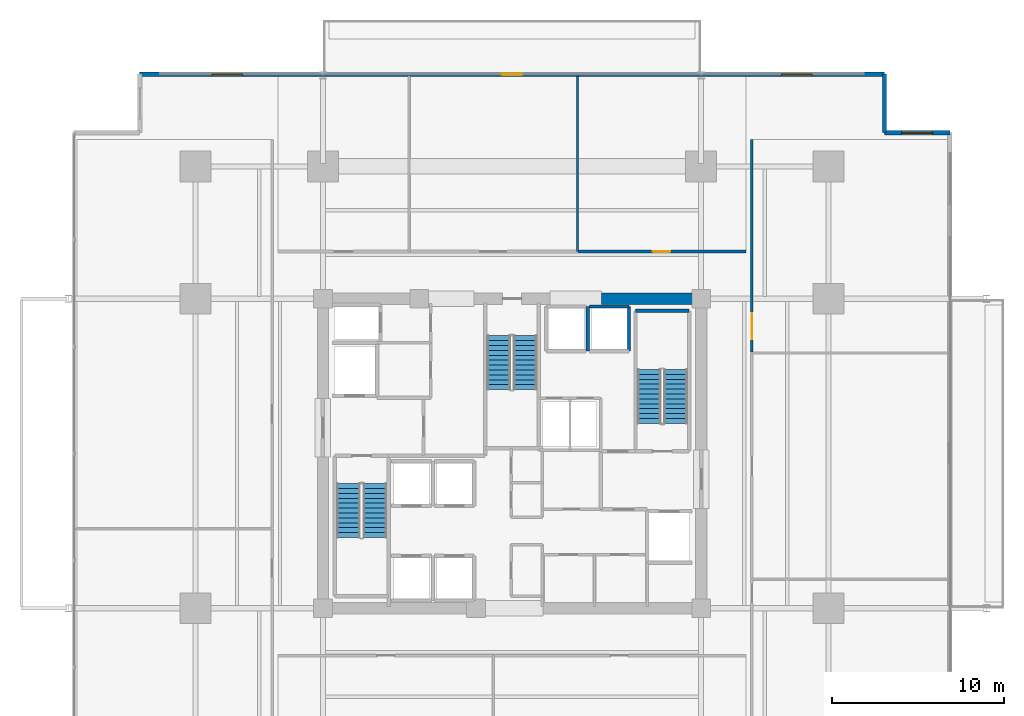
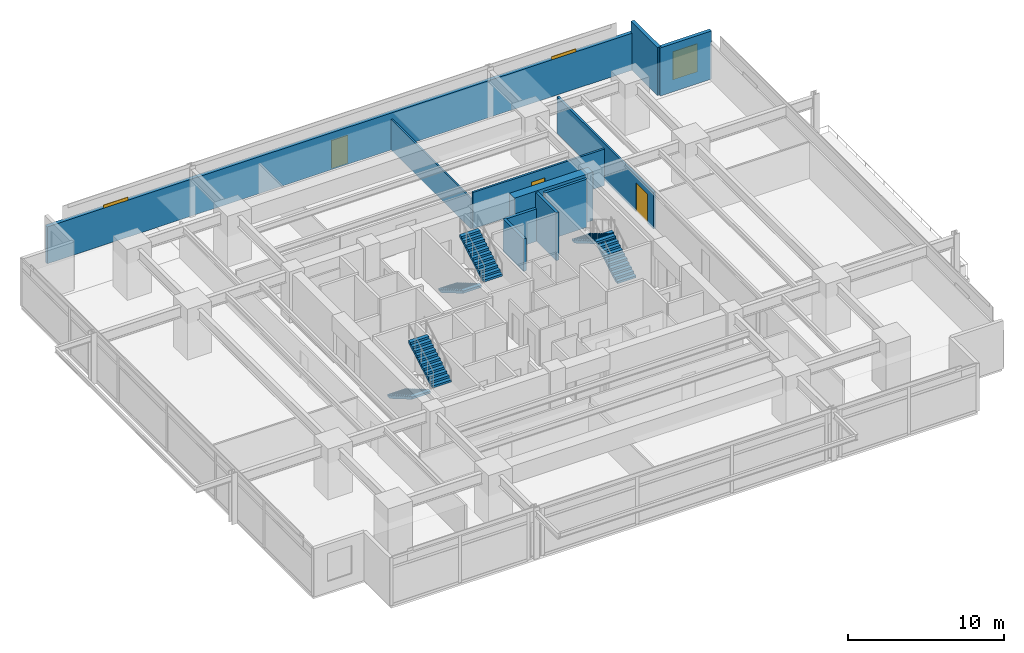
# One storey, part 17 of 21: 11 walls, 6 stair flights, 3 doors, 3 windows, 6 openings, 3 elements without a shape of their own.
"""IFC4 building model written with IfcOpenShell, lengths in metres."""

from ifc_helpers import new_model, si_unit, direction, frame, frame_2d, origin, place, context, subcontext, project, spatial, polyline, rectangle, outline, extrude, material, layer, layer_set, type_object, element, fill, aggregate, save


model = new_model("IFC4")

# Units and contexts
model_context = context("Model", 3, precision=1e-05, world=origin(), true_north=direction((0.0, 1.0)))
body_context = subcontext(model_context, "Body", "Model", "MODEL_VIEW")
ifc_project = project(units=[si_unit("LENGTHUNIT", "METRE"), si_unit("AREAUNIT", "SQUARE_METRE"), si_unit("VOLUMEUNIT", "CUBIC_METRE"), si_unit("PLANEANGLEUNIT", "RADIAN"), si_unit("MASSUNIT", "GRAM", prefix="KILO")], contexts=[model_context])

# Site, building, storey
site_placement = place(None, origin())
site = spatial("IfcSite", under=ifc_project, at=site_placement, CompositionType="ELEMENT")
building_placement = place(site_placement, origin())
building = spatial("IfcBuilding", under=site, at=building_placement, Name="Kovane Verandah Tower", CompositionType="ELEMENT")
storey_placement = place(building_placement, frame((0.0, 0.0, 47.60009765625)))
storey = spatial("IfcBuildingStorey", under=building, at=storey_placement, Name="L10", CompositionType="ELEMENT", Elevation=47.60009765625)

# Wall, opening, door
ifc_material_1 = material(Name="Fire-Rated Gypsum Stud Partition", Category="gypsum")
ifc_layer_1 = layer(ifc_material_1, 0.14990234375)
ifc_layer_set_1 = layer_set([ifc_layer_1], Name="Fire-Rated Gypsum Stud Partition")
wall_type_1 = type_object("IfcWallType", Name="WL-COR-150", PredefinedType="PARTITIONING", material=ifc_layer_set_1)
wall_1_placement = place(storey_placement, frame((43.8779296875, 39.25, 0.0), z_axis=(0.0, 0.0, 1.0), x_axis=(1.0, 0.0, 0.0)))
wall_1 = element("IfcWall", 1, at=wall_1_placement, inside=storey, type_object=wall_type_1, Name="L10 Meeting Room N3 Corridor Partition", PredefinedType="PARTITIONING", context=body_context, shape_type="SweptSolid", body=[
    extrude(rectangle(XDim=9.72216796875, YDim=0.14990234375, at=frame_2d((4.861083984375, 0.0))), origin(), (0.0, 0.0, 1.0), 2.849853515625),
])
opening_1_placement = place(wall_1_placement, frame((4.31103515625, 0.0, 0.0)))
opening_1 = element("IfcOpeningElement", 2, at=opening_1_placement, cuts=wall_1, Name="Opening DR-L10-022", PredefinedType="OPENING", context=body_context, shape_type="SweptSolid", body=[
    extrude(rectangle(XDim=1.0, YDim=2.14990234375, at=frame_2d((0.5, 1.074951171875))), frame((0.0, 0.074951171875, 0.0), z_axis=(0.0, -1.0, 0.0), x_axis=(1.0, 0.0, 0.0)), (0.0, 0.0, 1.0), 0.14990234375),
])
ifc_material_2 = material(Name="FSC Spotted-Gum Timber Fire-Rated Office Door", Category="wood")
door_type_1 = type_object("IfcDoorType", Name="DR-OFF-1000", OperationType="SINGLE_SWING_LEFT", PredefinedType="DOOR", material=ifc_material_2)
door_1_placement = place(opening_1_placement, origin())
door_1 = element("IfcDoor", 3, at=door_1_placement, inside=storey, type_object=door_type_1, Name="L10 Meeting Room N3 Entrance Door", OperationType="SINGLE_SWING_RIGHT", OverallHeight=2.14990234375, OverallWidth=1.0, PredefinedType="DOOR", context=body_context, shape_type="SweptSolid", body=[
    extrude(rectangle(XDim=1.0, YDim=2.14990234375, at=frame_2d((0.5, 1.074951171875))), frame((0.0, 0.02490234375, 0.0), z_axis=(0.0, -1.0, 0.0), x_axis=(1.0, 0.0, 0.0)), (0.0, 0.0, 1.0), 0.050048828125),
])
fill(opening_1, door_1)

wall_2_placement = place(storey_placement, frame((53.949951171875, 33.41357421875, 0.0), z_axis=(0.0, 0.0, 1.0), x_axis=(0.0, 1.0, 0.0)))
wall_2 = element("IfcWall", 4, at=wall_2_placement, inside=storey, type_object=wall_type_1, Name="L10 Client Boardroom E3 Corridor Partition", PredefinedType="PARTITIONING", context=body_context, shape_type="SweptSolid", body=[
    extrude(rectangle(XDim=12.34765625, YDim=0.14990234375, at=frame_2d((6.173828125, 0.0))), origin(), (0.0, 0.0, 1.0), 2.849853515625),
])
opening_2_placement = place(wall_2_placement, frame((0.7431640625, 0.0, 0.0)))
opening_2 = element("IfcOpeningElement", 5, at=opening_2_placement, cuts=wall_2, Name="Opening DR-L10-014", PredefinedType="OPENING", context=body_context, shape_type="SweptSolid", body=[
    extrude(rectangle(XDim=1.5, YDim=2.25, at=frame_2d((0.75, 1.125))), frame((0.0, 0.074951171875, 0.0), z_axis=(0.0, -1.0, 0.0), x_axis=(1.0, 0.0, 0.0)), (0.0, 0.0, 1.0), 0.14990234375),
])
ifc_material_3 = material(Name="Glazed Timber Fire-Rated Double Door", Category="wood")
door_type_2 = type_object("IfcDoorType", Name="DR-CONF-1500", OperationType="DOUBLE_DOOR_SINGLE_SWING", PredefinedType="DOOR", material=ifc_material_3)
door_2_placement = place(opening_2_placement, origin())
door_2 = element("IfcDoor", 6, at=door_2_placement, inside=storey, type_object=door_type_2, Name="L10 Client Boardroom E3 Entrance Door", OperationType="DOUBLE_DOOR_SINGLE_SWING", OverallHeight=2.25, OverallWidth=1.5, PredefinedType="DOOR", context=body_context, shape_type="SweptSolid", body=[
    extrude(rectangle(XDim=1.5, YDim=2.25, at=frame_2d((0.75, 1.125))), frame((0.0, 0.02490234375, 0.0), z_axis=(0.0, -1.0, 0.0), x_axis=(1.0, 0.0, 0.0)), (0.0, 0.0, 1.0), 0.050048828125),
])
fill(opening_2, door_2)

# Walls
ifc_material_4 = material(Name="Concrete C80/95", Category="concrete")
ifc_layer_2 = layer(ifc_material_4, 0.64990234375)
ifc_layer_set_2 = layer_set([ifc_layer_2], Name="Concrete C80/95")
wall_type_2 = type_object("IfcWallType", Name="WL-CORE-650", PredefinedType="SHEAR", material=ifc_layer_set_2)
wall_3_placement = place(storey_placement, frame((45.199951171875, 36.5, 0.0), z_axis=(0.0, 0.0, 1.0), x_axis=(1.0, 0.0, 0.0)))
element("IfcWall", 7, at=wall_3_placement, inside=storey, type_object=wall_type_2, Name="L10 Core Shear Wall CN-3", PredefinedType="SHEAR", context=body_context, shape_type="SweptSolid", body=[
    extrude(rectangle(XDim=5.800048828125, YDim=0.64990234375, at=frame_2d((2.89990234375, 0.0))), origin(), (0.0, 0.0, 1.0), 3.760009765625),
])
ifc_material_5 = material(Name="Concrete C45/55 Lift Shaft Wall", Category="concrete")
ifc_layer_3 = layer(ifc_material_5, 0.199951171875)
ifc_layer_set_3 = layer_set([ifc_layer_3], Name="Concrete C45/55 Lift Shaft Wall")
wall_type_3 = type_object("IfcWallType", Name="WL-LIFT-200", PredefinedType="SOLIDWALL", material=ifc_layer_set_3)
wall_4_placement = place(storey_placement, frame((44.39990234375, 33.449951171875, 0.0), z_axis=(0.0, 0.0, 1.0), x_axis=(0.0, 1.0, 0.0)))
element("IfcWall", 8, at=wall_4_placement, inside=storey, type_object=wall_type_3, Name="L10 Lift OL-01 and SL-01 Shared Shaft Wall", PredefinedType="SOLIDWALL", context=body_context, shape_type="SweptSolid", body=[
    extrude(rectangle(XDim=2.60009765625, YDim=0.199951171875, at=frame_2d((1.300048828125, 0.0))), origin(), (0.0, 0.0, 1.0), 2.539794921875),
])
wall_5_placement = place(storey_placement, frame((46.800048828125, 36.050048828125, 0.0), z_axis=(0.0, 0.0, 1.0), x_axis=(-1.0, 0.0, 0.0)))
element("IfcWall", 9, at=wall_5_placement, inside=storey, type_object=wall_type_3, Name="L10 Lift OL-01 N Shaft Wall", PredefinedType="SOLIDWALL", context=body_context, shape_type="SweptSolid", body=[
    extrude(rectangle(XDim=2.300048828125, YDim=0.199951171875, at=frame_2d((1.14990234375, 0.0))), origin(), (0.0, 0.0, 1.0), 2.539794921875),
])
wall_6_placement = place(storey_placement, frame((46.800048828125, 33.449951171875, 0.0), z_axis=(0.0, 0.0, 1.0), x_axis=(0.0, 1.0, 0.0)))
element("IfcWall", 10, at=wall_6_placement, inside=storey, type_object=wall_type_3, Name="L10 Lift OL-01 E Shaft Wall", PredefinedType="SOLIDWALL", context=body_context, shape_type="SweptSolid", body=[
    extrude(rectangle(XDim=2.60009765625, YDim=0.199951171875, at=frame_2d((1.300048828125, 0.0))), origin(), (0.0, 0.0, 1.0), 3.760009765625),
])
ifc_material_6 = material(Name="Acoustic Fire-Rated Gypsum Partition", Category="gypsum")
ifc_layer_4 = layer(ifc_material_6, 0.1201171875)
ifc_layer_set_4 = layer_set([ifc_layer_4], Name="Acoustic Fire-Rated Gypsum Partition")
wall_type_4 = type_object("IfcWallType", Name="WL-PART-120", PredefinedType="PARTITIONING", material=ifc_layer_set_4)
wall_7_placement = place(storey_placement, frame((43.80810546875, 39.25, 0.0), z_axis=(0.0, 0.0, 1.0), x_axis=(0.0, 1.0, 0.0)))
element("IfcWall", 11, at=wall_7_placement, inside=storey, type_object=wall_type_4, Name="L10 Client Boardroom N2 Dividing Partition", PredefinedType="PARTITIONING", context=body_context, shape_type="SweptSolid", body=[
    extrude(rectangle(XDim=10.211181640625, YDim=0.1201171875, at=frame_2d((5.10546875, 0.0))), origin(), (0.0, 0.0, 1.0), 2.389892578125),
])
ifc_material_7 = material(Name="Concrete C45/55", Category="concrete")
ifc_layer_5 = layer(ifc_material_7, 0.199951171875)
ifc_layer_set_5 = layer_set([ifc_layer_5], Name="Concrete C45/55")
wall_type_5 = type_object("IfcWallType", Name="WL-SHAFT-200", PredefinedType="SOLIDWALL", material=ifc_layer_set_5)
wall_8_placement = place(storey_placement, frame((47.179931640625, 35.800048828125, 0.0), z_axis=(0.0, 0.0, 1.0), x_axis=(1.0, 0.0, 0.0)))
element("IfcWall", 12, at=wall_8_placement, inside=storey, type_object=wall_type_5, Name="W-L10-ST02-N", PredefinedType="SOLIDWALL", context=body_context, shape_type="SweptSolid", body=[
    extrude(rectangle(XDim=3.1201171875, YDim=0.199951171875, at=frame_2d((1.56005859375, 0.0))), origin(), (0.0, 0.0, 1.0), 3.760009765625),
])

# Wall, openings, door, windows
ifc_material_8 = material(Name="Concrete C45/55 Insulated Spandrel Wall", Category="concrete")
ifc_layer_6 = layer(ifc_material_8, 0.260009765625)
ifc_layer_set_6 = layer_set([ifc_layer_6], Name="Concrete C45/55 Insulated Spandrel Wall")
wall_type_6 = type_object("IfcWallType", Name="WL-SPANDREL-260", PredefinedType="PARAPET", material=ifc_layer_set_6)
wall_9_placement = place(storey_placement, frame((61.658935546875, 49.561279296875, 0.0), z_axis=(0.0, 0.0, 1.0), x_axis=(-1.0, 0.0, 0.0)))
wall_9 = element("IfcWall", 13, at=wall_9_placement, inside=storey, type_object=wall_type_6, Name="L10 N Verandah Access Facade Wall", PredefinedType="PARAPET", context=body_context, shape_type="SweptSolid", body=[
    extrude(rectangle(XDim=43.31787109375, YDim=0.260009765625, at=frame_2d((21.658935546875, 0.0))), origin(), (0.0, 0.0, 1.0), 2.88916015625),
])
opening_3_placement = place(wall_9_placement, frame((4.199951171875, 0.0, 0.85009765625)))
opening_3 = element("IfcOpeningElement", 14, at=opening_3_placement, cuts=wall_9, Name="Opening W-03", PredefinedType="OPENING", context=body_context, shape_type="SweptSolid", body=[
    extrude(rectangle(XDim=1.800048828125, YDim=2.199951171875, at=frame_2d((0.89990234375, 1.10009765625))), frame((0.0, 0.1298828125, 0.0), z_axis=(0.0, -1.0, 0.0), x_axis=(1.0, 0.0, 0.0)), (0.0, 0.0, 1.0), 0.260009765625),
])
opening_4_placement = place(wall_9_placement, frame((21.05908203125, 0.0, 0.0)))
opening_4 = element("IfcOpeningElement", 15, at=opening_4_placement, cuts=wall_9, Name="Opening DR-L10-002", PredefinedType="OPENING", context=body_context, shape_type="SweptSolid", body=[
    extrude(rectangle(XDim=1.199951171875, YDim=2.199951171875, at=frame_2d((0.60009765625, 1.10009765625))), frame((0.0, 0.1298828125, 0.0), z_axis=(0.0, -1.0, 0.0), x_axis=(1.0, 0.0, 0.0)), (0.0, 0.0, 1.0), 0.260009765625),
])
opening_5_placement = place(wall_9_placement, frame((37.318115234375, 0.0, 0.85009765625)))
opening_5 = element("IfcOpeningElement", 16, at=opening_5_placement, cuts=wall_9, Name="Opening W-03", PredefinedType="OPENING", context=body_context, shape_type="SweptSolid", body=[
    extrude(rectangle(XDim=1.800048828125, YDim=2.199951171875, at=frame_2d((0.89990234375, 1.10009765625))), frame((0.0, 0.1298828125, 0.0), z_axis=(0.0, -1.0, 0.0), x_axis=(1.0, 0.0, 0.0)), (0.0, 0.0, 1.0), 0.260009765625),
])
ifc_material_9 = material(Name="Cyclone-Rated Glazed Balcony Leaf Door", Category="aluminium")
door_type_3 = type_object("IfcDoorType", Name="DR-BAL-1200x2200", OperationType="SINGLE_SWING_LEFT", PredefinedType="DOOR", material=ifc_material_9)
door_3_placement = place(opening_4_placement, origin())
door_3 = element("IfcDoor", 17, at=door_3_placement, inside=storey, type_object=door_type_3, Name="L10 N Planted Balcony Access Door", OperationType="SINGLE_SWING_LEFT", OverallHeight=2.199951171875, OverallWidth=1.199951171875, PredefinedType="DOOR", context=body_context, shape_type="SweptSolid", body=[
    extrude(rectangle(XDim=1.199951171875, YDim=2.199951171875, at=frame_2d((0.60009765625, 1.10009765625))), frame((0.0, 0.02490234375, 0.0), z_axis=(0.0, -1.0, 0.0), x_axis=(1.0, 0.0, 0.0)), (0.0, 0.0, 1.0), 0.050048828125),
])
fill(opening_4, door_3)
ifc_material_10 = material(Name="Clear Low-E Laminated Double Glazing in Anodised Frame", Category="glass")
window_type = type_object("IfcWindowType", Name="WN-NOTCH-1800x2200", PartitioningType="SINGLE_PANEL", PredefinedType="WINDOW", material=ifc_material_10)
window_1_placement = place(opening_3_placement, origin())
window_1 = element("IfcWindow", 18, at=window_1_placement, inside=storey, type_object=window_type, Name="L10 N Verandah View Window 1", OverallHeight=2.199951171875, OverallWidth=1.800048828125, PartitioningType="SINGLE_PANEL", PredefinedType="WINDOW", context=body_context, shape_type="SweptSolid", body=[
    extrude(rectangle(XDim=1.800048828125, YDim=2.199951171875, at=frame_2d((0.89990234375, 1.10009765625))), frame((0.0, 0.030029296875, 0.0), z_axis=(0.0, -1.0, 0.0), x_axis=(1.0, 0.0, 0.0)), (0.0, 0.0, 1.0), 0.06005859375),
])
fill(opening_3, window_1)
window_2_placement = place(opening_5_placement, origin())
window_2 = element("IfcWindow", 19, at=window_2_placement, inside=storey, type_object=window_type, Name="L10 N Verandah View Window 2", OverallHeight=2.199951171875, OverallWidth=1.800048828125, PartitioningType="SINGLE_PANEL", PredefinedType="WINDOW", context=body_context, shape_type="SweptSolid", body=[
    extrude(rectangle(XDim=1.800048828125, YDim=2.199951171875, at=frame_2d((0.89990234375, 1.10009765625))), frame((0.0, 0.030029296875, 0.0), z_axis=(0.0, -1.0, 0.0), x_axis=(1.0, 0.0, 0.0)), (0.0, 0.0, 1.0), 0.06005859375),
])
fill(opening_5, window_2)

# Wall, opening, window
wall_10_placement = place(storey_placement, frame((65.458984375, 46.161376953125, 0.0), z_axis=(0.0, 0.0, 1.0), x_axis=(-1.0, 0.0, 0.0)))
wall_10 = element("IfcWall", 20, at=wall_10_placement, inside=storey, type_object=wall_type_6, Name="L10 NE Notch Cheek Wall 1", PredefinedType="PARAPET", context=body_context, shape_type="SweptSolid", body=[
    extrude(rectangle(XDim=3.800048828125, YDim=0.260009765625, at=frame_2d((1.89990234375, 0.0))), origin(), (0.0, 0.0, 1.0), 3.760009765625),
])
opening_6_placement = place(wall_10_placement, frame((1.0, 0.0, 0.85009765625)))
opening_6 = element("IfcOpeningElement", 21, at=opening_6_placement, cuts=wall_10, Name="Opening W-03", PredefinedType="OPENING", context=body_context, shape_type="SweptSolid", body=[
    extrude(rectangle(XDim=1.800048828125, YDim=2.199951171875, at=frame_2d((0.89990234375, 1.10009765625))), frame((0.0, 0.1298828125, 0.0), z_axis=(0.0, -1.0, 0.0), x_axis=(1.0, 0.0, 0.0)), (0.0, 0.0, 1.0), 0.260009765625),
])
window_3_placement = place(opening_6_placement, origin())
window_3 = element("IfcWindow", 22, at=window_3_placement, inside=storey, type_object=window_type, Name="L10 NE Re-Entrant Corner Operable Window", OverallHeight=2.199951171875, OverallWidth=1.800048828125, PartitioningType="SINGLE_PANEL", PredefinedType="WINDOW", context=body_context, shape_type="SweptSolid", body=[
    extrude(rectangle(XDim=1.800048828125, YDim=2.199951171875, at=frame_2d((0.89990234375, 1.10009765625))), frame((0.0, 0.030029296875, 0.0), z_axis=(0.0, -1.0, 0.0), x_axis=(1.0, 0.0, 0.0)), (0.0, 0.0, 1.0), 0.06005859375),
])
fill(opening_6, window_3)

# Wall
wall_11_placement = place(storey_placement, frame((61.658935546875, 46.161376953125, 0.0), z_axis=(0.0, 0.0, 1.0), x_axis=(0.0, 1.0, 0.0)))
element("IfcWall", 23, at=wall_11_placement, inside=storey, type_object=wall_type_6, Name="L10 NE Notch Cheek Wall 2", PredefinedType="PARAPET", context=body_context, shape_type="SweptSolid", body=[
    extrude(rectangle(XDim=3.39990234375, YDim=0.260009765625, at=frame_2d((1.699951171875, 0.0))), origin(), (0.0, 0.0, 1.0), 3.760009765625),
])

# Stair, stair flights
stair_type = type_object("IfcStairType", Name="ST-CORE-1380", PredefinedType="HALF_TURN_STAIR", material=ifc_material_7)
stair_1_placement = place(storey_placement, origin())
stair_1 = element("IfcStair", 24, at=stair_1_placement, inside=storey, type_object=stair_type, Name="L10 Exit Stair ST-01", PredefinedType="HALF_TURN_STAIR")
stair_flight_type = type_object("IfcStairFlightType", Name="STF-CORE-1380", PredefinedType="STRAIGHT", material=ifc_material_7)
stair_flight_1_placement = place(storey_placement, frame((30.489990234375, 25.75, 0.0), z_axis=(0.0, 0.0, 1.0), x_axis=(0.0, -1.0, 0.0)))
stair_flight_1 = element("IfcStairFlight", 25, at=stair_flight_1_placement, type_object=stair_flight_type, Name="ST-01 flight 1", NumberOfRisers=12, NumberOfTreads=11, PredefinedType="STRAIGHT", RiserHeight=0.166666667, TreadLength=0.285, context=body_context, shape_type="SweptSolid", body=[
    extrude(outline(polyline([(0.0, 0.0), (0.0, 0.166748046875), (0.284912109375, 0.166748046875), (0.284912109375, 0.333251953125), (0.570068359375, 0.333251953125), (0.570068359375, 0.5), (0.85498046875, 0.5), (0.85498046875, 0.666748046875), (1.139892578125, 0.666748046875), (1.139892578125, 0.833251953125), (1.425048828125, 0.833251953125), (1.425048828125, 1.0), (1.7099609375, 1.0), (1.7099609375, 1.166748046875), (1.9951171875, 1.166748046875), (1.9951171875, 1.333251953125), (2.280029296875, 1.333251953125), (2.280029296875, 1.5), (2.56494140625, 1.5), (2.56494140625, 1.666748046875), (2.85009765625, 1.666748046875), (2.85009765625, 1.833251953125), (3.135009765625, 1.833251953125), (3.135009765625, 2.0), (3.135009765625, 1.65966796875), (0.296875, 0.0), (0.0, 0.0)])), frame((0.0, 0.68994140625, 0.0), z_axis=(0.0, -1.0, 0.0), x_axis=(1.0, 0.0, 0.0)), (0.0, 0.0, 1.0), 1.3798828125),
])
stair_flight_2_placement = place(storey_placement, frame((32.030029296875, 22.614990234375, 2.0), z_axis=(0.0, 0.0, 1.0), x_axis=(0.0, 1.0, 0.0)))
stair_flight_2 = element("IfcStairFlight", 26, at=stair_flight_2_placement, type_object=stair_flight_type, Name="ST-01 flight 2", NumberOfRisers=12, NumberOfTreads=11, PredefinedType="STRAIGHT", RiserHeight=0.166666667, TreadLength=0.285, context=body_context, shape_type="SweptSolid", body=[
    extrude(outline(polyline([(0.0, 0.0), (0.0, 0.166748046875), (0.284912109375, 0.166748046875), (0.284912109375, 0.333251953125), (0.570068359375, 0.333251953125), (0.570068359375, 0.5), (0.85498046875, 0.5), (0.85498046875, 0.666748046875), (1.139892578125, 0.666748046875), (1.139892578125, 0.833251953125), (1.425048828125, 0.833251953125), (1.425048828125, 1.0), (1.7099609375, 1.0), (1.7099609375, 1.166748046875), (1.9951171875, 1.166748046875), (1.9951171875, 1.333251953125), (2.280029296875, 1.333251953125), (2.280029296875, 1.5), (2.56494140625, 1.5), (2.56494140625, 1.666748046875), (2.85009765625, 1.666748046875), (2.85009765625, 1.833251953125), (3.135009765625, 1.833251953125), (3.135009765625, 2.0), (3.135009765625, 1.65966796875), (0.296875, 0.0), (0.0, 0.0)])), frame((0.0, 0.68994140625, 0.0), z_axis=(0.0, -1.0, 0.0), x_axis=(1.0, 0.0, 0.0)), (0.0, 0.0, 1.0), 1.3798828125),
])
aggregate(stair_1, [stair_flight_1, stair_flight_2])

stair_2_placement = place(storey_placement, origin())
stair_2 = element("IfcStair", 27, at=stair_2_placement, inside=storey, type_object=stair_type, Name="L10 Exit Stair ST-02", PredefinedType="HALF_TURN_STAIR")
stair_flight_3_placement = place(storey_placement, frame((49.510009765625, 29.25, 0.0), z_axis=(0.0, 0.0, 1.0), x_axis=(0.0, 1.0, 0.0)))
stair_flight_3 = element("IfcStairFlight", 28, at=stair_flight_3_placement, type_object=stair_flight_type, Name="ST-02 flight 1", NumberOfRisers=12, NumberOfTreads=11, PredefinedType="STRAIGHT", RiserHeight=0.166666667, TreadLength=0.285, context=body_context, shape_type="SweptSolid", body=[
    extrude(outline(polyline([(0.0, 0.0), (0.0, 0.166748046875), (0.284912109375, 0.166748046875), (0.284912109375, 0.333251953125), (0.570068359375, 0.333251953125), (0.570068359375, 0.5), (0.85498046875, 0.5), (0.85498046875, 0.666748046875), (1.139892578125, 0.666748046875), (1.139892578125, 0.833251953125), (1.425048828125, 0.833251953125), (1.425048828125, 1.0), (1.7099609375, 1.0), (1.7099609375, 1.166748046875), (1.9951171875, 1.166748046875), (1.9951171875, 1.333251953125), (2.280029296875, 1.333251953125), (2.280029296875, 1.5), (2.56494140625, 1.5), (2.56494140625, 1.666748046875), (2.85009765625, 1.666748046875), (2.85009765625, 1.833251953125), (3.135009765625, 1.833251953125), (3.135009765625, 2.0), (3.135009765625, 1.65966796875), (0.296875, 0.0), (0.0, 0.0)])), frame((0.0, 0.68994140625, 0.0), z_axis=(0.0, -1.0, 0.0), x_axis=(1.0, 0.0, 0.0)), (0.0, 0.0, 1.0), 1.3798828125),
])
stair_flight_4_placement = place(storey_placement, frame((47.969970703125, 32.385009765625, 2.0), z_axis=(0.0, 0.0, 1.0), x_axis=(0.0, -1.0, 0.0)))
stair_flight_4 = element("IfcStairFlight", 29, at=stair_flight_4_placement, type_object=stair_flight_type, Name="ST-02 flight 2", NumberOfRisers=12, NumberOfTreads=11, PredefinedType="STRAIGHT", RiserHeight=0.166666667, TreadLength=0.285, context=body_context, shape_type="SweptSolid", body=[
    extrude(outline(polyline([(0.0, 0.0), (0.0, 0.166748046875), (0.284912109375, 0.166748046875), (0.284912109375, 0.333251953125), (0.570068359375, 0.333251953125), (0.570068359375, 0.5), (0.85498046875, 0.5), (0.85498046875, 0.666748046875), (1.139892578125, 0.666748046875), (1.139892578125, 0.833251953125), (1.425048828125, 0.833251953125), (1.425048828125, 1.0), (1.7099609375, 1.0), (1.7099609375, 1.166748046875), (1.9951171875, 1.166748046875), (1.9951171875, 1.333251953125), (2.280029296875, 1.333251953125), (2.280029296875, 1.5), (2.56494140625, 1.5), (2.56494140625, 1.666748046875), (2.85009765625, 1.666748046875), (2.85009765625, 1.833251953125), (3.135009765625, 1.833251953125), (3.135009765625, 2.0), (3.135009765625, 1.65966796875), (0.296875, 0.0), (0.0, 0.0)])), frame((0.0, 0.68994140625, 0.0), z_axis=(0.0, -1.0, 0.0), x_axis=(1.0, 0.0, 0.0)), (0.0, 0.0, 1.0), 1.3798828125),
])
aggregate(stair_2, [stair_flight_3, stair_flight_4])

stair_3_placement = place(storey_placement, origin())
stair_3 = element("IfcStair", 30, at=stair_3_placement, inside=storey, type_object=stair_type, Name="L10 Exit Stair ST-03", PredefinedType="HALF_TURN_STAIR")
stair_flight_5_placement = place(storey_placement, frame((39.22998046875, 34.35009765625, 0.0), z_axis=(0.0, 0.0, 1.0), x_axis=(0.0, -1.0, 0.0)))
stair_flight_5 = element("IfcStairFlight", 31, at=stair_flight_5_placement, type_object=stair_flight_type, Name="ST-03 flight 1", NumberOfRisers=12, NumberOfTreads=11, PredefinedType="STRAIGHT", RiserHeight=0.166666667, TreadLength=0.285, context=body_context, shape_type="SweptSolid", body=[
    extrude(outline(polyline([(0.0, 0.0), (0.0, 0.166748046875), (0.284912109375, 0.166748046875), (0.284912109375, 0.333251953125), (0.570068359375, 0.333251953125), (0.570068359375, 0.5), (0.85498046875, 0.5), (0.85498046875, 0.666748046875), (1.139892578125, 0.666748046875), (1.139892578125, 0.833251953125), (1.425048828125, 0.833251953125), (1.425048828125, 1.0), (1.7099609375, 1.0), (1.7099609375, 1.166748046875), (1.9951171875, 1.166748046875), (1.9951171875, 1.333251953125), (2.280029296875, 1.333251953125), (2.280029296875, 1.5), (2.56494140625, 1.5), (2.56494140625, 1.666748046875), (2.85009765625, 1.666748046875), (2.85009765625, 1.833251953125), (3.135009765625, 1.833251953125), (3.135009765625, 2.0), (3.135009765625, 1.65966796875), (0.296875, 0.0), (0.0, 0.0)])), frame((0.0, 0.68994140625, 0.0), z_axis=(0.0, -1.0, 0.0), x_axis=(1.0, 0.0, 0.0)), (0.0, 0.0, 1.0), 1.3798828125),
])
stair_flight_6_placement = place(storey_placement, frame((40.77001953125, 31.215087890625, 2.0), z_axis=(0.0, 0.0, 1.0), x_axis=(0.0, 1.0, 0.0)))
stair_flight_6 = element("IfcStairFlight", 32, at=stair_flight_6_placement, type_object=stair_flight_type, Name="ST-03 flight 2", NumberOfRisers=12, NumberOfTreads=11, PredefinedType="STRAIGHT", RiserHeight=0.166666667, TreadLength=0.285, context=body_context, shape_type="SweptSolid", body=[
    extrude(outline(polyline([(0.0, 0.0), (0.0, 0.166748046875), (0.284912109375, 0.166748046875), (0.284912109375, 0.333251953125), (0.570068359375, 0.333251953125), (0.570068359375, 0.5), (0.85498046875, 0.5), (0.85498046875, 0.666748046875), (1.139892578125, 0.666748046875), (1.139892578125, 0.833251953125), (1.425048828125, 0.833251953125), (1.425048828125, 1.0), (1.7099609375, 1.0), (1.7099609375, 1.166748046875), (1.9951171875, 1.166748046875), (1.9951171875, 1.333251953125), (2.280029296875, 1.333251953125), (2.280029296875, 1.5), (2.56494140625, 1.5), (2.56494140625, 1.666748046875), (2.85009765625, 1.666748046875), (2.85009765625, 1.833251953125), (3.135009765625, 1.833251953125), (3.135009765625, 2.0), (3.135009765625, 1.65966796875), (0.296875, 0.0), (0.0, 0.0)])), frame((0.0, 0.68994140625, 0.0), z_axis=(0.0, -1.0, 0.0), x_axis=(1.0, 0.0, 0.0)), (0.0, 0.0, 1.0), 1.3798828125),
])
aggregate(stair_3, [stair_flight_5, stair_flight_6])

save(model, "model.ifc")
